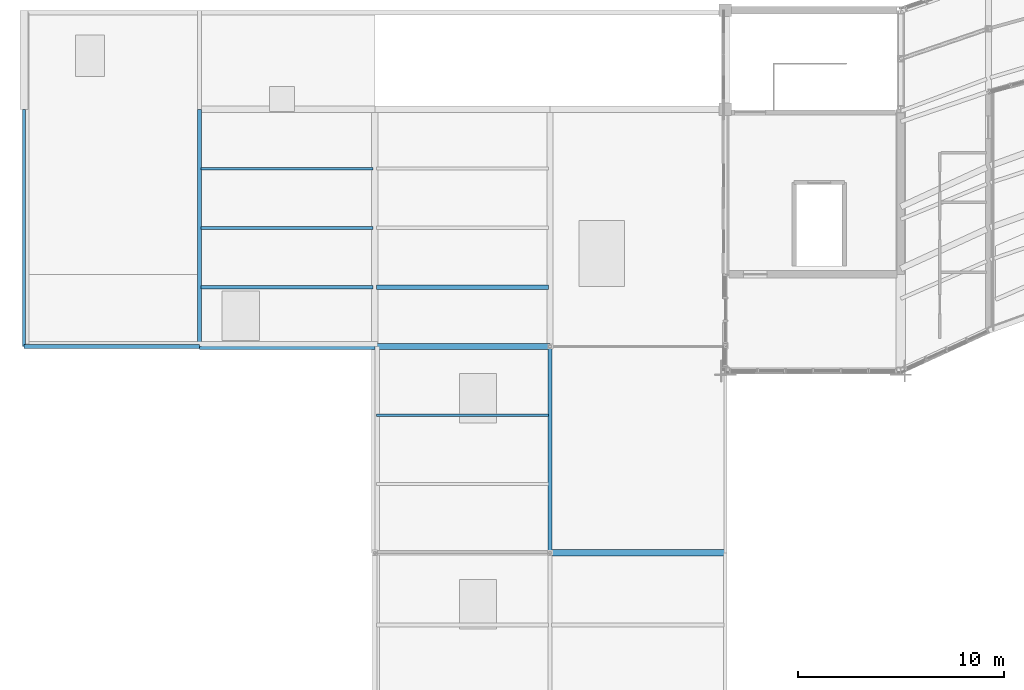
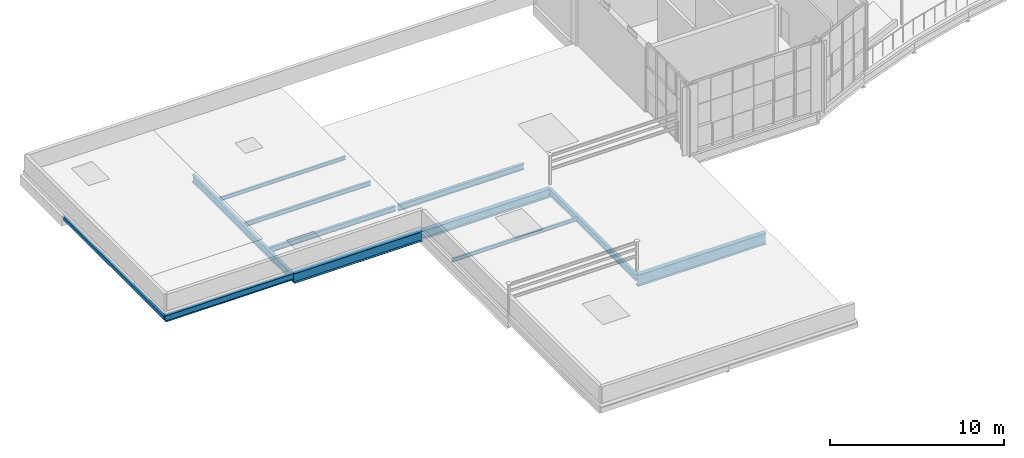
# One storey, part 5 of 35: 12 beams.
"""IFC4 building model written with IfcOpenShell, lengths in metres."""

from ifc_helpers import new_model, si_unit, direction, frame, origin, origin_2d, place, context, subcontext, project, spatial, hollow_rectangle, i_section, extrude, material, material_profile, profile_set, type_object, element, save


model = new_model("IFC4")

# Units and contexts
model_context = context("Model", 3, precision=1e-05, world=origin(), true_north=direction((0.0, 1.0)))
body_context = subcontext(model_context, "Body", "Model", "MODEL_VIEW")
ifc_project = project(units=[si_unit("LENGTHUNIT", "METRE"), si_unit("AREAUNIT", "SQUARE_METRE"), si_unit("VOLUMEUNIT", "CUBIC_METRE"), si_unit("PLANEANGLEUNIT", "RADIAN"), si_unit("MASSUNIT", "GRAM", prefix="KILO")], contexts=[model_context])

# Site, building, storey
site_placement = place(None, origin())
site = spatial("IfcSite", under=ifc_project, at=site_placement, CompositionType="ELEMENT")
building_placement = place(site_placement, origin())
building = spatial("IfcBuilding", under=site, at=building_placement, Name="Solvikara Media Centre", CompositionType="ELEMENT")
storey_placement = place(building_placement, frame((0.0, 0.0, 29.39990234375)))
storey = spatial("IfcBuildingStorey", under=building, at=storey_placement, Name="L06", CompositionType="ELEMENT", Elevation=29.39990234375)

# Beams
ifc_material = material(Name="Steel S355JR", Category="steel")
ifc_material_profile_1 = material_profile(ifc_material, i_section(OverallWidth=0.300048828125, OverallDepth=0.800048828125, WebThickness=0.013916015625, FlangeThickness=0.02587890625, at=origin_2d()), Name="WF 800x300x14x26")
ifc_profile_set_1 = profile_set([ifc_material_profile_1], Name="Steel S355JR")
beam_type_1 = type_object("IfcBeamType", Name="BM-16", PredefinedType="BEAM", material=ifc_profile_set_1)
beam_1_placement = place(storey_placement, frame((59.5, 10.5, -0.6318359375), z_axis=(1.0, 0.0, 0.0), x_axis=(0.0, 1.0, 0.0)))
element("IfcBeam", 1, at=beam_1_placement, inside=storey, type_object=beam_type_1, Name="B-L06-X1695", PredefinedType="BEAM", context=body_context, shape_type="SweptSolid", body=[
    extrude(i_section(OverallWidth=0.300048828125, OverallDepth=0.800048828125, WebThickness=0.013916015625, FlangeThickness=0.02587890625, at=origin_2d()), origin(), (0.0, 0.0, 1.0), 8.5),
])
ifc_material_profile_2 = material_profile(ifc_material, i_section(OverallWidth=0.199951171875, OverallDepth=0.449951171875, WebThickness=0.009033203125, FlangeThickness=0.013916015625, at=origin_2d()), Name="WF 450x200x9x14")
ifc_profile_set_2 = profile_set([ifc_material_profile_2], Name="Steel S355JR")
beam_type_2 = type_object("IfcBeamType", Name="BM-20", PredefinedType="BEAM", material=ifc_profile_set_2)
beam_2_placement = place(storey_placement, frame((34.0, 20.5, -0.456787109375), z_axis=(1.0, 0.0, 0.0), x_axis=(0.0, 1.0, 0.0)))
element("IfcBeam", 2, at=beam_2_placement, inside=storey, type_object=beam_type_2, Name="B-L06-X1698", PredefinedType="BEAM", context=body_context, shape_type="SweptSolid", body=[
    extrude(i_section(OverallWidth=0.199951171875, OverallDepth=0.449951171875, WebThickness=0.009033203125, FlangeThickness=0.013916015625, at=origin_2d()), origin(), (0.0, 0.0, 1.0), 8.5),
])
beam_3_placement = place(storey_placement, frame((59.5, 10.5, -0.456787109375), z_axis=(0.0, 1.0, 0.0), x_axis=(-1.0, 0.0, 0.0)))
element("IfcBeam", 3, at=beam_3_placement, inside=storey, type_object=beam_type_2, Name="B-L06-Y1712", PredefinedType="BEAM", context=body_context, shape_type="SweptSolid", body=[
    extrude(i_section(OverallWidth=0.199951171875, OverallDepth=0.449951171875, WebThickness=0.009033203125, FlangeThickness=0.013916015625, at=origin_2d()), origin(), (0.0, 0.0, 1.0), 10.0),
])
ifc_material_profile_3 = material_profile(ifc_material, i_section(OverallWidth=0.199951171875, OverallDepth=0.39990234375, WebThickness=0.008056640625, FlangeThickness=0.012939453125, at=origin_2d()), Name="WF 400x200x8x13")
ifc_profile_set_3 = profile_set([ifc_material_profile_3], Name="Steel S355JR")
beam_type_3 = type_object("IfcBeamType", Name="BM-21", PredefinedType="JOIST", material=ifc_profile_set_3)
beam_4_placement = place(storey_placement, frame((51.077880859375, 23.375, -0.431884765625), z_axis=(1.0, 0.0, 0.0), x_axis=(0.0, 1.0, 0.0)))
element("IfcBeam", 4, at=beam_4_placement, inside=storey, type_object=beam_type_3, Name="J-L06-1729", PredefinedType="JOIST", context=body_context, shape_type="SweptSolid", body=[
    extrude(i_section(OverallWidth=0.199951171875, OverallDepth=0.39990234375, WebThickness=0.008056640625, FlangeThickness=0.012939453125, at=origin_2d()), origin(), (0.0, 0.0, 1.0), 8.34423828125),
])
ifc_material_profile_4 = material_profile(ifc_material, i_section(OverallWidth=0.175048828125, OverallDepth=0.35009765625, WebThickness=0.007080078125, FlangeThickness=0.010986328125, at=origin_2d()), Name="WF 350x175x7x11")
ifc_profile_set_4 = profile_set([ifc_material_profile_4], Name="Steel S355JR")
beam_type_4 = type_object("IfcBeamType", Name="BM-22", PredefinedType="JOIST", material=ifc_profile_set_4)
beam_5_placement = place(storey_placement, frame((42.577880859375, 23.375, -0.406982421875), z_axis=(1.0, 0.0, 0.0), x_axis=(0.0, 1.0, 0.0)))
element("IfcBeam", 5, at=beam_5_placement, inside=storey, type_object=beam_type_4, Name="J-L06-1722", PredefinedType="JOIST", context=body_context, shape_type="SweptSolid", body=[
    extrude(i_section(OverallWidth=0.175048828125, OverallDepth=0.35009765625, WebThickness=0.007080078125, FlangeThickness=0.010986328125, at=origin_2d()), origin(), (0.0, 0.0, 1.0), 8.34423828125),
])
ifc_material_profile_5 = material_profile(ifc_material, i_section(OverallWidth=0.14990234375, OverallDepth=0.300048828125, WebThickness=0.006591796875, FlangeThickness=0.009033203125, at=origin_2d()), Name="WF 300x150x6.5x9")
ifc_profile_set_5 = profile_set([ifc_material_profile_5], Name="Steel S355JR")
beam_type_5 = type_object("IfcBeamType", Name="BM-23", PredefinedType="JOIST", material=ifc_profile_set_5)
beam_6_placement = place(storey_placement, frame((42.577880859375, 26.25, -0.3818359375), z_axis=(1.0, 0.0, 0.0), x_axis=(0.0, 1.0, 0.0)))
element("IfcBeam", 6, at=beam_6_placement, inside=storey, type_object=beam_type_5, Name="J-L06-1723", PredefinedType="JOIST", context=body_context, shape_type="SweptSolid", body=[
    extrude(i_section(OverallWidth=0.14990234375, OverallDepth=0.300048828125, WebThickness=0.006591796875, FlangeThickness=0.009033203125, at=origin_2d()), origin(), (0.0, 0.0, 1.0), 8.34423828125),
])
ifc_material_profile_6 = material_profile(ifc_material, i_section(OverallWidth=0.125, OverallDepth=0.25, WebThickness=0.006103515625, FlangeThickness=0.009033203125, at=origin_2d()), Name="WF 250x125x6x9")
ifc_profile_set_6 = profile_set([ifc_material_profile_6], Name="Steel S355JR")
beam_type_6 = type_object("IfcBeamType", Name="BM-24", PredefinedType="JOIST", material=ifc_profile_set_6)
beam_7_placement = place(storey_placement, frame((42.577880859375, 29.125, -0.35693359375), z_axis=(1.0, 0.0, 0.0), x_axis=(0.0, 1.0, 0.0)))
element("IfcBeam", 7, at=beam_7_placement, inside=storey, type_object=beam_type_6, Name="J-L06-1724", PredefinedType="JOIST", context=body_context, shape_type="SweptSolid", body=[
    extrude(i_section(OverallWidth=0.125, OverallDepth=0.25, WebThickness=0.006103515625, FlangeThickness=0.009033203125, at=origin_2d()), origin(), (0.0, 0.0, 1.0), 8.34423828125),
])
ifc_material_profile_7 = material_profile(ifc_material, i_section(OverallWidth=0.300048828125, OverallDepth=0.69189453125, WebThickness=0.012939453125, FlangeThickness=0.02001953125, at=origin_2d()), Name="H 692x300x13x20")
ifc_profile_set_7 = profile_set([ifc_material_profile_7], Name="Steel S355JR")
beam_type_7 = type_object("IfcBeamType", Name="BM-25", PredefinedType="BEAM", material=ifc_profile_set_7)
beam_8_placement = place(storey_placement, frame((42.5, 20.5, -0.577880859375), z_axis=(1.0, 0.0, 0.0), x_axis=(0.0, 1.0, 0.0)))
element("IfcBeam", 8, at=beam_8_placement, inside=storey, type_object=beam_type_7, Name="B-L06-X1699", PredefinedType="BEAM", context=body_context, shape_type="SweptSolid", body=[
    extrude(i_section(OverallWidth=0.300048828125, OverallDepth=0.69189453125, WebThickness=0.012939453125, FlangeThickness=0.02001953125, at=origin_2d()), origin(), (0.0, 0.0, 1.0), 8.5),
])
ifc_material_profile_8 = material_profile(ifc_material, i_section(OverallWidth=0.300048828125, OverallDepth=0.587890625, WebThickness=0.011962890625, FlangeThickness=0.02001953125, at=origin_2d()), Name="H 588x300x12x20")
ifc_profile_set_8 = profile_set([ifc_material_profile_8], Name="Steel S355JR")
beam_type_8 = type_object("IfcBeamType", Name="BM-26", PredefinedType="BEAM", material=ifc_profile_set_8)
beam_9_placement = place(storey_placement, frame((51.0, 20.5, -0.52587890625), z_axis=(1.0, 0.0, 0.0), x_axis=(0.0, 1.0, 0.0)))
element("IfcBeam", 9, at=beam_9_placement, inside=storey, type_object=beam_type_8, Name="B-L06-X1700", PredefinedType="BEAM", context=body_context, shape_type="SweptSolid", body=[
    extrude(i_section(OverallWidth=0.300048828125, OverallDepth=0.587890625, WebThickness=0.011962890625, FlangeThickness=0.02001953125, at=origin_2d()), origin(), (0.0, 0.0, 1.0), 8.5),
])
ifc_material_profile_9 = material_profile(ifc_material, hollow_rectangle(XDim=0.14990234375, YDim=0.25, WallThickness=0.008056640625, at=origin_2d()), Name="RHS 250x150x8")
ifc_profile_set_9 = profile_set([ifc_material_profile_9], Name="Steel S355JR")
beam_type_9 = type_object("IfcBeamType", Name="BM-36", PredefinedType="JOIST", material=ifc_profile_set_9)
beam_10_placement = place(storey_placement, frame((34.0, 20.5, -0.43701171875), z_axis=(0.0, 1.0, 0.0), x_axis=(-1.0, 0.0, 0.0)))
element("IfcBeam", 10, at=beam_10_placement, inside=storey, type_object=beam_type_9, Name="B-L06-Y1704", PredefinedType="JOIST", context=body_context, shape_type="SweptSolid", body=[
    extrude(hollow_rectangle(XDim=0.14990234375, YDim=0.25, WallThickness=0.008056640625, at=origin_2d()), origin(), (0.0, 0.0, 1.0), 11.5),
])
ifc_material_profile_10 = material_profile(ifc_material, i_section(OverallWidth=0.1240234375, OverallDepth=0.248046875, WebThickness=0.0048828125, FlangeThickness=0.008056640625, at=origin_2d()), Name="WF 248x124x5x8")
ifc_profile_set_10 = profile_set([ifc_material_profile_10], Name="Steel S355JR")
beam_type_10 = type_object("IfcBeamType", Name="BM-40", PredefinedType="JOIST", material=ifc_profile_set_10)
beam_11_placement = place(storey_placement, frame((51.077880859375, 17.1669921875, -0.35595703125), z_axis=(1.0, 0.0, 0.0), x_axis=(0.0, 1.0, 0.0)))
element("IfcBeam", 11, at=beam_11_placement, inside=storey, type_object=beam_type_10, Name="J-L06-1728", PredefinedType="JOIST", context=body_context, shape_type="SweptSolid", body=[
    extrude(i_section(OverallWidth=0.1240234375, OverallDepth=0.248046875, WebThickness=0.0048828125, FlangeThickness=0.008056640625, at=origin_2d()), origin(), (0.0, 0.0, 1.0), 8.34423828125),
])
ifc_material_profile_11 = material_profile(ifc_material, i_section(OverallWidth=0.198974609375, OverallDepth=0.49609375, WebThickness=0.009033203125, FlangeThickness=0.013916015625, at=origin_2d()), Name="H 496x199x9x14")
ifc_profile_set_11 = profile_set([ifc_material_profile_11], Name="Steel S355JR")
beam_type_11 = type_object("IfcBeamType", Name="BM-42", PredefinedType="BEAM", material=ifc_profile_set_11)
beam_12_placement = place(storey_placement, frame((42.5, 20.5, -0.559814453125), z_axis=(0.0, 1.0, 0.0), x_axis=(-1.0, 0.0, 0.0)))
element("IfcBeam", 12, at=beam_12_placement, inside=storey, type_object=beam_type_11, Name="B-L06-Y1706", PredefinedType="BEAM", context=body_context, shape_type="SweptSolid", body=[
    extrude(i_section(OverallWidth=0.198974609375, OverallDepth=0.49609375, WebThickness=0.009033203125, FlangeThickness=0.013916015625, at=origin_2d()), origin(), (0.0, 0.0, 1.0), 11.5),
])

save(model, "model.ifc")
